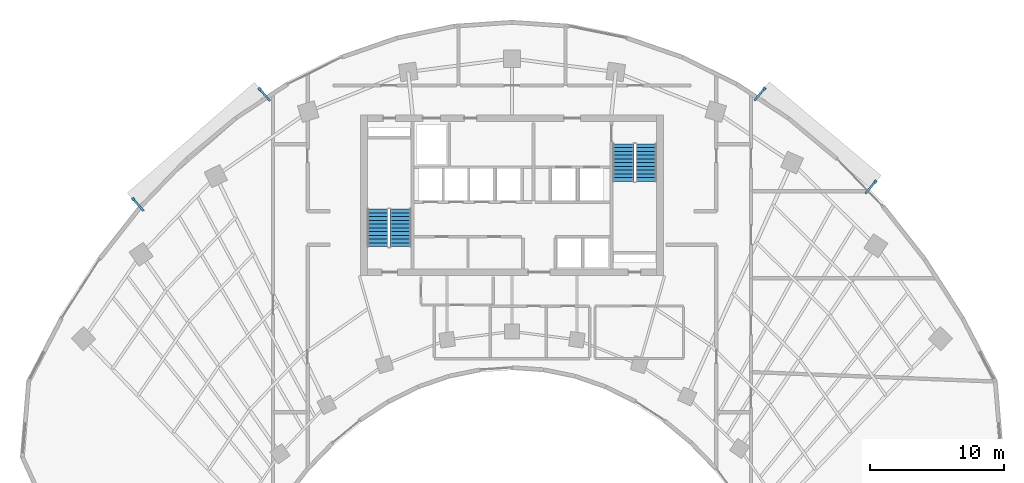
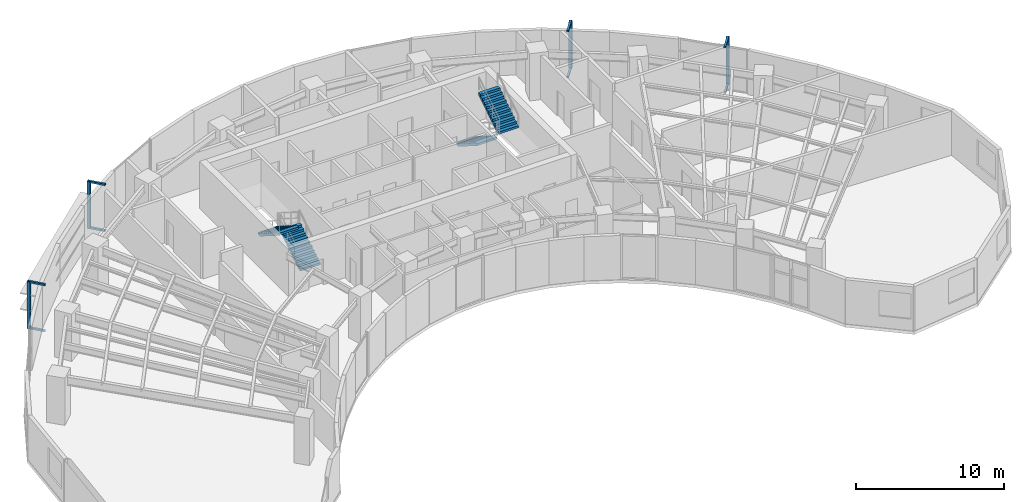
# One storey, part 12 of 14: 12 discrete accessories, 4 stair flights, 2 elements without a shape of their own.
"""IFC4 building model written with IfcOpenShell, lengths in metres."""

import ifcopenshell
import ifcopenshell.guid

model = None  # the IFC model being written
_history = None  # IfcOwnerHistory: only IFC2X3 demands one
_inside = {}  # id of a spatial element -> (the spatial element, [elements in it])
_under = {}  # id of a project, library or spatial element -> (it, [spatial elements below it])
_declared = {}  # id of a project -> (the project, [libraries it declares])
_typed = {}  # id of a type object -> (the type object, [elements of that type])
_made_of = {}  # id of a material, layer set ... -> (it, [elements and type objects made of it])


def new_model(schema):
    """Start an empty IFC model of exactly this schema.

    Asked for "IFC4X3", IfcOpenShell would pick the latest addendum, in which some entities
    have other attributes; the version numbers below select the first issue.
    IFC2X3 requires an IfcOwnerHistory on every rooted entity: one is made here for all.
    """
    global model, _history
    if schema == "IFC4X3":
        model = ifcopenshell.file(schema_version=(4, 3, 0, 0))
    else:
        model = ifcopenshell.file(schema=schema)
    _inside.clear()
    _under.clear()
    _declared.clear()
    _typed.clear()
    _made_of.clear()
    _history = None
    if model.schema == "IFC2X3":
        org = make("IfcOrganization", Name="unknown")
        user = make(
            "IfcPersonAndOrganization",
            ThePerson=make("IfcPerson", FamilyName="unknown"),
            TheOrganization=org,
        )
        app = make(
            "IfcApplication",
            ApplicationDeveloper=org,
            Version="unknown",
            ApplicationFullName="unknown",
            ApplicationIdentifier="unknown",
        )
        _history = make(
            "IfcOwnerHistory",
            OwningUser=user,
            OwningApplication=app,
            ChangeAction="ADDED",
            CreationDate=0,
        )
    return model


def make(cls, **values):
    """One entity of the class cls with the attributes given. An attribute that is None is left unset."""
    return model.create_entity(
        cls, **{name: value for name, value in values.items() if value is not None}
    )


def rooted(cls, **values):
    """An entity with a GlobalId (a new one), such as an element, a storey or a relation."""
    return make(cls, GlobalId=ifcopenshell.guid.new(), OwnerHistory=_history, **values)


def si_unit(unit_type, name, prefix=None):
    """IfcSIUnit, for example si_unit("LENGTHUNIT", "METRE", prefix="MILLI")."""
    return make("IfcSIUnit", UnitType=unit_type, Prefix=prefix, Name=name)


def assignment(units):
    """IfcUnitAssignment: the units of a project."""
    return None if units is None else make("IfcUnitAssignment", Units=units)


def point(xyz):
    """IfcCartesianPoint."""
    return None if xyz is None else make("IfcCartesianPoint", Coordinates=xyz)


def direction(xyz):
    """IfcDirection."""
    return None if xyz is None else make("IfcDirection", DirectionRatios=xyz)


def frame(location, z_axis=None, x_axis=None):
    """IfcAxis2Placement3D, a coordinate frame: its origin and axes. An axis left out is left unset."""
    return make(
        "IfcAxis2Placement3D",
        Location=point(location),
        Axis=direction(z_axis),
        RefDirection=direction(x_axis),
    )


def frame_2d(location, x_axis=None):
    """IfcAxis2Placement2D, a coordinate frame in the plane: its origin and x axis."""
    return make(
        "IfcAxis2Placement2D", Location=point(location), RefDirection=direction(x_axis)
    )


def origin():
    """The frame at (0, 0, 0) with its axes left unset."""
    return frame((0.0, 0.0, 0.0))


def origin_2d():
    """The frame at (0, 0) in the plane with its x axis left unset."""
    return frame_2d((0.0, 0.0))


def place(relative_to, where):
    """IfcLocalPlacement: puts the frame where relative to a parent placement (None: the world)."""
    return make(
        "IfcLocalPlacement", PlacementRelTo=relative_to, RelativePlacement=where
    )


def context(
    kind, dimensions, precision=None, world=None, true_north=None, identifier=None
):
    """IfcGeometricRepresentationContext, for example the 3D "Model" context."""
    return make(
        "IfcGeometricRepresentationContext",
        ContextIdentifier=identifier,
        ContextType=kind,
        CoordinateSpaceDimension=dimensions,
        Precision=precision,
        WorldCoordinateSystem=world,
        TrueNorth=true_north,
    )


def subcontext(parent, identifier, kind, view, scale=None):
    """IfcGeometricRepresentationSubContext, for example "Body" below "Model"."""
    return make(
        "IfcGeometricRepresentationSubContext",
        ContextIdentifier=identifier,
        ContextType=kind,
        ParentContext=parent,
        TargetScale=scale,
        TargetView=view,
    )


def project(units=None, contexts=None):
    """IfcProject with its units and contexts."""
    return rooted(
        "IfcProject",
        Name="project",
        RepresentationContexts=contexts,
        UnitsInContext=assignment(units),
    )


def spatial(cls, under=None, at=None, **own):
    """A site, building, storey or space (cls), placed at a placement, below another one or the project."""
    s = rooted(cls, ObjectPlacement=at, **own)
    if under is not None:
        _under.setdefault(under.id(), (under, []))[1].append(s)
    return s


def polyline(points):
    """IfcPolyline through the points."""
    return make("IfcPolyline", Points=[point(p) for p in points])


def profile(cls, at=None, kind="AREA", **sizes):
    """A parametric profile (cls). Its sizes go by their IFC names, for example OverallWidth=200.0."""
    return make(cls, ProfileType=kind, Position=at, **sizes)


def rectangle(**sizes):
    """IfcRectangleProfileDef."""
    return profile("IfcRectangleProfileDef", **sizes)


def outline(outer, holes=None, kind="AREA"):
    """IfcArbitraryClosedProfileDef: a profile drawn as a closed curve; with holes, ...WithVoids."""
    if holes is None:
        return make("IfcArbitraryClosedProfileDef", ProfileType=kind, OuterCurve=outer)
    return make(
        "IfcArbitraryProfileDefWithVoids",
        ProfileType=kind,
        OuterCurve=outer,
        InnerCurves=holes,
    )


def extrude(swept, where, along, depth):
    """IfcExtrudedAreaSolid: the profile swept, set in the frame where, extruded along a direction by depth."""
    return make(
        "IfcExtrudedAreaSolid",
        SweptArea=swept,
        Position=where,
        ExtrudedDirection=direction(along),
        Depth=depth,
    )


def shape(context_of_items, identifier, shape_type, items):
    """IfcShapeRepresentation: the items that make up one representation, for example the "Body"."""
    return make(
        "IfcShapeRepresentation",
        ContextOfItems=context_of_items,
        RepresentationIdentifier=identifier,
        RepresentationType=shape_type,
        Items=items,
    )


def source(mapping_origin, context_of_items, identifier, shape_type, items):
    """IfcRepresentationMap: a shape defined once, which mapped items show again and again."""
    return make(
        "IfcRepresentationMap",
        MappingOrigin=mapping_origin,
        MappedRepresentation=shape(context_of_items, identifier, shape_type, items),
    )


def transform(
    local_origin,
    x_axis=None,
    y_axis=None,
    z_axis=None,
    scale=None,
    scale2=None,
    scale3=None,
    uniform=True,
):
    """IfcCartesianTransformationOperator3D, or its non-uniform kind. x_axis, y_axis, z_axis: its Axis1, 2, 3."""
    if uniform:
        return make(
            "IfcCartesianTransformationOperator3D",
            Axis1=direction(x_axis),
            Axis2=direction(y_axis),
            LocalOrigin=point(local_origin),
            Scale=scale,
            Axis3=direction(z_axis),
        )
    return make(
        "IfcCartesianTransformationOperator3DnonUniform",
        Axis1=direction(x_axis),
        Axis2=direction(y_axis),
        LocalOrigin=point(local_origin),
        Scale=scale,
        Axis3=direction(z_axis),
        Scale2=scale2,
        Scale3=scale3,
    )


def mapped(mapping_source, mapping_target):
    """IfcMappedItem: shows the shape of a source again, moved by a transform."""
    return make(
        "IfcMappedItem", MappingSource=mapping_source, MappingTarget=mapping_target
    )


def material(Name=None, Category=None):
    """IfcMaterial."""
    return make("IfcMaterial", Name=Name, Category=Category)


def made_of(thing, what):
    """Note that an element or type object is made of a material, layer set ...; save() writes the relation."""
    if what is not None:
        _made_of.setdefault(what.id(), (what, []))[1].append(thing)
    return thing


def type_object(cls, material=None, **own):
    """A type object (cls), such as IfcWallType, which elements share."""
    return made_of(rooted(cls, **own), material)


def type_shapes(of_type, sources):
    """Give a type object the sources (RepresentationMaps) that its elements show as mapped items."""
    of_type.RepresentationMaps = sources


def element(
    cls,
    number,
    at=None,
    inside=None,
    cuts=None,
    type_object=None,
    material=None,
    context=None,
    identifier="Body",
    shape_type=None,
    held_by="IfcProductDefinitionShape",
    body=None,
    shapes=None,
    **own,
):
    """One element of the class cls, such as IfcWall. Its Tag is "e" and its number.

    at: its placement. inside: the storey or other place that contains it. cuts: it is an
    opening in that element (IfcRelVoidsElement). A single representation is given by context,
    identifier, shape_type and body (its items); several are given by shapes. held_by: the class
    of the entity that holds the representations. save() writes the other relations.
    """
    e = rooted(cls, Tag="e%d" % number, ObjectPlacement=at, **own)
    if body is not None:
        shapes = [shape(context, identifier, shape_type, body)]
    if shapes is not None:
        e.Representation = make(held_by, Representations=shapes)
    if inside is not None:
        _inside.setdefault(inside.id(), (inside, []))[1].append(e)
    if cuts is not None:
        rooted(
            "IfcRelVoidsElement", RelatingBuildingElement=cuts, RelatedOpeningElement=e
        )
    if type_object is not None:
        _typed.setdefault(type_object.id(), (type_object, []))[1].append(e)
    return made_of(e, material)


def aggregate(whole, parts):
    """IfcRelAggregates: a whole, such as a stair, and the parts it consists of."""
    return rooted("IfcRelAggregates", RelatingObject=whole, RelatedObjects=parts)


def save(model, path):
    """Write the relations noted so far, then the file.

    IfcRelAggregates (storeys below a building ...), IfcRelContainedInSpatialStructure (elements
    in a storey), IfcRelDefinesByType, IfcRelAssociatesMaterial and IfcRelDeclares: one each for
    every whole, place, type object, material and project.
    """
    for whole, parts in _under.values():
        aggregate(whole, parts)
    for where, things in _inside.values():
        rooted(
            "IfcRelContainedInSpatialStructure",
            RelatedElements=things,
            RelatingStructure=where,
        )
    for kind, things in _typed.values():
        rooted("IfcRelDefinesByType", RelatedObjects=things, RelatingType=kind)
    for what, things in _made_of.values():
        rooted("IfcRelAssociatesMaterial", RelatedObjects=things, RelatingMaterial=what)
    for by, libraries in _declared.values():
        rooted("IfcRelDeclares", RelatingContext=by, RelatedDefinitions=libraries)
    model.write(path)


model = new_model("IFC4")

# Units and contexts
model_context = context("Model", 3, precision=1e-05, world=origin(), true_north=direction((0.0, 1.0)))
body_context = subcontext(model_context, "Body", "Model", "MODEL_VIEW")
ifc_project = project(units=[si_unit("LENGTHUNIT", "METRE"), si_unit("AREAUNIT", "SQUARE_METRE"), si_unit("VOLUMEUNIT", "CUBIC_METRE"), si_unit("PLANEANGLEUNIT", "RADIAN"), si_unit("MASSUNIT", "GRAM", prefix="KILO")], contexts=[model_context])

# Site, building, storey
site_placement = place(None, origin())
site = spatial("IfcSite", under=ifc_project, at=site_placement, CompositionType="ELEMENT")
building_placement = place(site_placement, origin())
building = spatial("IfcBuilding", under=site, at=building_placement, Name="Breltana Convention Tower", CompositionType="ELEMENT")
storey_placement = place(building_placement, frame((0.0, 0.0, 123.300048828125)))
storey = spatial("IfcBuildingStorey", under=building, at=storey_placement, Name="L29", CompositionType="ELEMENT", Elevation=123.300048828125)

# Stair, stair flights
ifc_material_1 = material(Name="Concrete C40/50", Category="concrete")
stair_type = type_object("IfcStairType", Name="ST-DOG-1560-R177", PredefinedType="HALF_TURN_STAIR", material=ifc_material_1)
stair_1_placement = place(storey_placement, origin())
stair_1 = element("IfcStair", 1, at=stair_1_placement, inside=storey, type_object=stair_type, Name="L29 Protected Core Exit Stair ST-1", PredefinedType="HALF_TURN_STAIR")
stair_flight_type = type_object("IfcStairFlightType", Name="STF-DOG-1560-N11-R177", PredefinedType="STRAIGHT", material=ifc_material_1)
stair_flight_1_placement = place(storey_placement, frame((39.68994140625, 62.360107421875, 0.0), z_axis=(0.0, 0.0, 1.0), x_axis=(0.0, 1.0, 0.0)))
stair_flight_1 = element("IfcStairFlight", 2, at=stair_flight_1_placement, type_object=stair_flight_type, Name="ST-1 flight 1", NumberOfRisers=11, NumberOfTreads=10, PredefinedType="STRAIGHT", RiserHeight=0.177272727, TreadLength=0.28, context=body_context, shape_type="SweptSolid", body=[
    extrude(outline(polyline([(0.0, 0.0), (0.0, 0.17724609375), (0.280029296875, 0.17724609375), (0.280029296875, 0.3544921875), (0.56005859375, 0.3544921875), (0.56005859375, 0.53173828125), (0.840087890625, 0.53173828125), (0.840087890625, 0.708984375), (1.1201171875, 0.708984375), (1.1201171875, 0.886474609375), (1.39990234375, 0.886474609375), (1.39990234375, 1.063720703125), (1.679931640625, 1.063720703125), (1.679931640625, 1.240966796875), (1.9599609375, 1.240966796875), (1.9599609375, 1.418212890625), (2.239990234375, 1.418212890625), (2.239990234375, 1.595458984375), (2.52001953125, 1.595458984375), (2.52001953125, 1.772705078125), (2.800048828125, 1.772705078125), (2.800048828125, 1.949951171875), (2.800048828125, 1.59521484375), (0.2802734375, 0.0), (0.0, 0.0)])), frame((0.0, 0.780029296875, 0.0), z_axis=(0.0, -1.0, 0.0), x_axis=(1.0, 0.0, 0.0)), (0.0, 0.0, 1.0), 1.56005859375),
])
stair_flight_2_placement = place(storey_placement, frame((37.97998046875, 65.159912109375, 1.949951171875), z_axis=(0.0, 0.0, 1.0), x_axis=(0.0, -1.0, 0.0)))
stair_flight_2 = element("IfcStairFlight", 3, at=stair_flight_2_placement, type_object=stair_flight_type, Name="ST-1 flight 2", NumberOfRisers=11, NumberOfTreads=10, PredefinedType="STRAIGHT", RiserHeight=0.177272727, TreadLength=0.28, context=body_context, shape_type="SweptSolid", body=[
    extrude(outline(polyline([(0.0, 0.0), (0.0, 0.17724609375), (0.280029296875, 0.17724609375), (0.280029296875, 0.3544921875), (0.56005859375, 0.3544921875), (0.56005859375, 0.53173828125), (0.840087890625, 0.53173828125), (0.840087890625, 0.708984375), (1.1201171875, 0.708984375), (1.1201171875, 0.886474609375), (1.39990234375, 0.886474609375), (1.39990234375, 1.063720703125), (1.679931640625, 1.063720703125), (1.679931640625, 1.240966796875), (1.9599609375, 1.240966796875), (1.9599609375, 1.418212890625), (2.239990234375, 1.418212890625), (2.239990234375, 1.595458984375), (2.52001953125, 1.595458984375), (2.52001953125, 1.772705078125), (2.800048828125, 1.772705078125), (2.800048828125, 1.949951171875), (2.800048828125, 1.59521484375), (0.2802734375, 0.0), (0.0, 0.0)])), frame((0.0, 0.780029296875, 0.0), z_axis=(0.0, -1.0, 0.0), x_axis=(1.0, 0.0, 0.0)), (0.0, 0.0, 1.0), 1.56005859375),
])
aggregate(stair_1, [stair_flight_1, stair_flight_2])

stair_2_placement = place(storey_placement, origin())
stair_2 = element("IfcStair", 4, at=stair_2_placement, inside=storey, type_object=stair_type, Name="L29 Protected Core Exit Stair ST-2", PredefinedType="HALF_TURN_STAIR")
stair_flight_3_placement = place(storey_placement, frame((56.31005859375, 70.0400390625, 0.0), z_axis=(0.0, 0.0, 1.0), x_axis=(0.0, -1.0, 0.0)))
stair_flight_3 = element("IfcStairFlight", 5, at=stair_flight_3_placement, type_object=stair_flight_type, Name="ST-2 flight 1", NumberOfRisers=11, NumberOfTreads=10, PredefinedType="STRAIGHT", RiserHeight=0.177272727, TreadLength=0.28, context=body_context, shape_type="SweptSolid", body=[
    extrude(outline(polyline([(0.0, 0.0), (0.0, 0.17724609375), (0.280029296875, 0.17724609375), (0.280029296875, 0.3544921875), (0.56005859375, 0.3544921875), (0.56005859375, 0.53173828125), (0.840087890625, 0.53173828125), (0.840087890625, 0.708984375), (1.1201171875, 0.708984375), (1.1201171875, 0.886474609375), (1.39990234375, 0.886474609375), (1.39990234375, 1.063720703125), (1.679931640625, 1.063720703125), (1.679931640625, 1.240966796875), (1.9599609375, 1.240966796875), (1.9599609375, 1.418212890625), (2.239990234375, 1.418212890625), (2.239990234375, 1.595458984375), (2.52001953125, 1.595458984375), (2.52001953125, 1.772705078125), (2.800048828125, 1.772705078125), (2.800048828125, 1.949951171875), (2.800048828125, 1.59521484375), (0.2802734375, 0.0), (0.0, 0.0)])), frame((0.0, 0.780029296875, 0.0), z_axis=(0.0, -1.0, 0.0), x_axis=(1.0, 0.0, 0.0)), (0.0, 0.0, 1.0), 1.56005859375),
])
stair_flight_4_placement = place(storey_placement, frame((58.02001953125, 67.239990234375, 1.949951171875), z_axis=(0.0, 0.0, 1.0), x_axis=(0.0, 1.0, 0.0)))
stair_flight_4 = element("IfcStairFlight", 6, at=stair_flight_4_placement, type_object=stair_flight_type, Name="ST-2 flight 2", NumberOfRisers=11, NumberOfTreads=10, PredefinedType="STRAIGHT", RiserHeight=0.177272727, TreadLength=0.28, context=body_context, shape_type="SweptSolid", body=[
    extrude(outline(polyline([(0.0, 0.0), (0.0, 0.17724609375), (0.280029296875, 0.17724609375), (0.280029296875, 0.3544921875), (0.56005859375, 0.3544921875), (0.56005859375, 0.53173828125), (0.840087890625, 0.53173828125), (0.840087890625, 0.708984375), (1.1201171875, 0.708984375), (1.1201171875, 0.886474609375), (1.39990234375, 0.886474609375), (1.39990234375, 1.063720703125), (1.679931640625, 1.063720703125), (1.679931640625, 1.240966796875), (1.9599609375, 1.240966796875), (1.9599609375, 1.418212890625), (2.239990234375, 1.418212890625), (2.239990234375, 1.595458984375), (2.52001953125, 1.595458984375), (2.52001953125, 1.772705078125), (2.800048828125, 1.772705078125), (2.800048828125, 1.949951171875), (2.800048828125, 1.59521484375), (0.2802734375, 0.0), (0.0, 0.0)])), frame((0.0, 0.780029296875, 0.0), z_axis=(0.0, -1.0, 0.0), x_axis=(1.0, 0.0, 0.0)), (0.0, 0.0, 1.0), 1.56005859375),
])
aggregate(stair_2, [stair_flight_3, stair_flight_4])

# Discrete accessories
ifc_material_2 = material(Name="Steel S355", Category="steel")
discrete_accessory_type_1 = type_object("IfcDiscreteAccessoryType", Name="ACC-DSF-BRACKET-150", PredefinedType="BRACKET", material=ifc_material_2)
shared_shape_1 = source(origin(), body_context, "Body", "SweptSolid", [
    extrude(rectangle(XDim=1.239990234375, YDim=0.14990234375, at=origin_2d()), origin(), (0.0, 0.0, 1.0), 0.139892578125),
])
type_shapes(discrete_accessory_type_1, [shared_shape_1])
for number, where, z_axis, x_axis, name in (
    (7, (20.080322265625, 65.49853515625, -0.16015625), (0.0, 0.0, 1.0), (-0.656454255701, 0.754365833115, 0.0), "L29 double-skin slab stand-off bracket 1.1B"),
    (8, (20.080322265625, 65.49853515625, 3.64990234375), (0.0, 0.0, 1.0), (-0.656454255701, 0.754365833115, 0.0), "L29 double-skin slab stand-off bracket 1.1T"),
    (9, (29.520751953125, 73.713623046875, -0.16015625), (0.0, 0.0, 1.0), (-0.656454255701, 0.754365833115, 0.0), "L29 double-skin slab stand-off bracket 1.2B"),
    (10, (29.520751953125, 73.713623046875, 3.64990234375), (0.0, 0.0, 1.0), (-0.656454255701, 0.754365833115, 0.0), "L29 double-skin slab stand-off bracket 1.2T"),
    (11, (66.487060546875, 73.735595703125, -0.16015625), (0.0, 0.0, 1.0), (0.641987488939, 0.766715112702, 0.0), "L29 double-skin slab stand-off bracket 2.1B"),
    (12, (66.487060546875, 73.735595703125, 3.64990234375), (0.0, 0.0, 1.0), (0.641987488939, 0.766715112702, 0.0), "L29 double-skin slab stand-off bracket 2.1T"),
    (13, (74.777099609375, 66.794189453125, -0.16015625), (0.0, 0.0, 1.0), (0.641987488939, 0.766715112702, 0.0), "L29 double-skin slab stand-off bracket 2.2B"),
    (14, (74.777099609375, 66.794189453125, 3.64990234375), (0.0, 0.0, 1.0), (0.641987488939, 0.766715112702, 0.0), "L29 double-skin slab stand-off bracket 2.2T"),
):
    element("IfcDiscreteAccessory", number, at=place(storey_placement, frame(where, z_axis=z_axis, x_axis=x_axis)), inside=storey, type_object=discrete_accessory_type_1, Name=name, PredefinedType="BRACKET", context=body_context, shape_type="MappedRepresentation", body=[
        mapped(shared_shape_1, transform((0.0, 0.0, 0.0), scale=1.0)),
    ])
discrete_accessory_type_2 = type_object("IfcDiscreteAccessoryType", Name="ACC-DSF-CARRIER-150", PredefinedType="BRACKET", material=ifc_material_2)
shared_shape_2 = source(origin(), body_context, "Body", "SweptSolid", [
    extrude(rectangle(XDim=0.219970703125, YDim=0.219970703125, at=origin_2d()), origin(), (0.0, 0.0, 1.0), 3.8701171875),
])
for number, where, z_axis, x_axis, name in (
    (15, (19.712646484375, 65.9208984375, -0.1201171875), (0.0, 0.0, 1.0), (-0.656454255701, 0.754365833115, 0.0), "L29 double-skin outer vertical carrier 1.1"),
    (16, (29.153076171875, 74.135986328125, -0.1201171875), (0.0, 0.0, 1.0), (-0.656454255701, 0.754365833115, 0.0), "L29 double-skin outer vertical carrier 1.2"),
    (17, (66.8466796875, 74.1650390625, -0.1201171875), (0.0, 0.0, 1.0), (0.641987488939, 0.766715112702, 0.0), "L29 double-skin outer vertical carrier 2.1"),
    (18, (75.13671875, 67.2236328125, -0.1201171875), (0.0, 0.0, 1.0), (0.641987488939, 0.766715112702, 0.0), "L29 double-skin outer vertical carrier 2.2"),
):
    element("IfcDiscreteAccessory", number, at=place(storey_placement, frame(where, z_axis=z_axis, x_axis=x_axis)), inside=storey, type_object=discrete_accessory_type_2, Name=name, PredefinedType="BRACKET", context=body_context, shape_type="MappedRepresentation", body=[
        mapped(shared_shape_2, transform((0.0, 0.0, 0.0), scale=1.0)),
    ])

save(model, "model.ifc")
